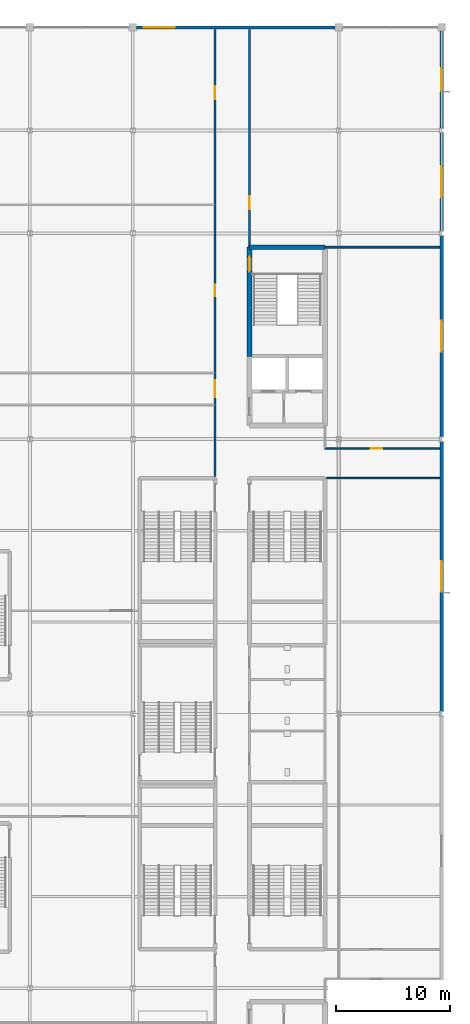
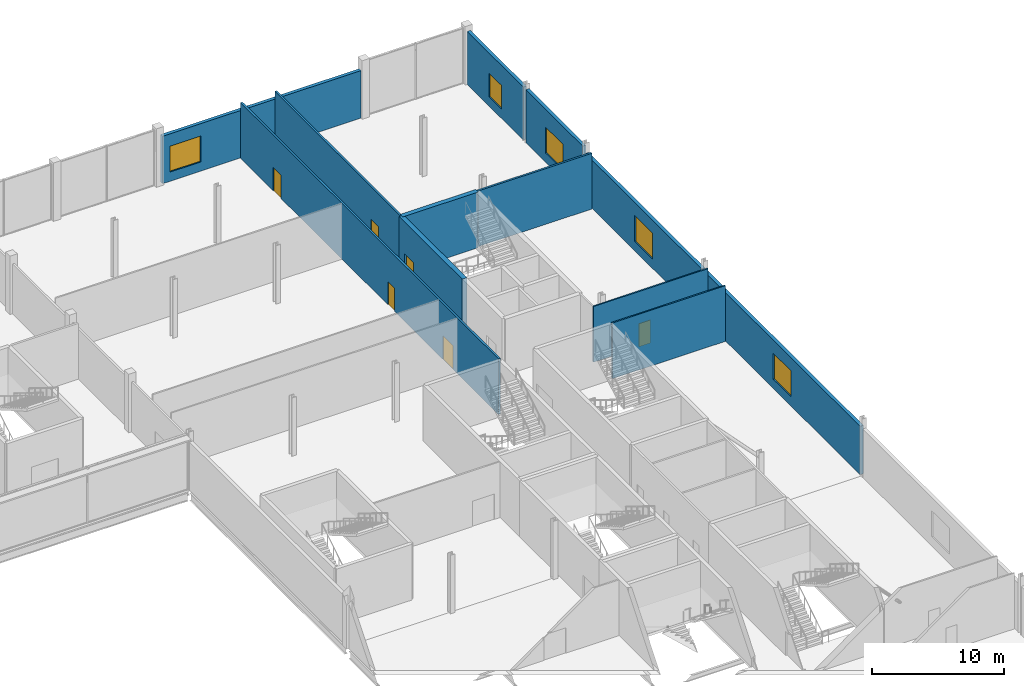
# One storey, part 68 of 111: 12 walls, 6 doors, 5 windows, 11 openings.
"""IFC4 building model written with IfcOpenShell, lengths in metres."""

import ifcopenshell
import ifcopenshell.guid

model = None  # the IFC model being written
_history = None  # IfcOwnerHistory: only IFC2X3 demands one
_inside = {}  # id of a spatial element -> (the spatial element, [elements in it])
_under = {}  # id of a project, library or spatial element -> (it, [spatial elements below it])
_declared = {}  # id of a project -> (the project, [libraries it declares])
_typed = {}  # id of a type object -> (the type object, [elements of that type])
_made_of = {}  # id of a material, layer set ... -> (it, [elements and type objects made of it])


def new_model(schema):
    """Start an empty IFC model of exactly this schema.

    Asked for "IFC4X3", IfcOpenShell would pick the latest addendum, in which some entities
    have other attributes; the version numbers below select the first issue.
    IFC2X3 requires an IfcOwnerHistory on every rooted entity: one is made here for all.
    """
    global model, _history
    if schema == "IFC4X3":
        model = ifcopenshell.file(schema_version=(4, 3, 0, 0))
    else:
        model = ifcopenshell.file(schema=schema)
    _inside.clear()
    _under.clear()
    _declared.clear()
    _typed.clear()
    _made_of.clear()
    _history = None
    if model.schema == "IFC2X3":
        org = make("IfcOrganization", Name="unknown")
        user = make(
            "IfcPersonAndOrganization",
            ThePerson=make("IfcPerson", FamilyName="unknown"),
            TheOrganization=org,
        )
        app = make(
            "IfcApplication",
            ApplicationDeveloper=org,
            Version="unknown",
            ApplicationFullName="unknown",
            ApplicationIdentifier="unknown",
        )
        _history = make(
            "IfcOwnerHistory",
            OwningUser=user,
            OwningApplication=app,
            ChangeAction="ADDED",
            CreationDate=0,
        )
    return model


def make(cls, **values):
    """One entity of the class cls with the attributes given. An attribute that is None is left unset."""
    return model.create_entity(
        cls, **{name: value for name, value in values.items() if value is not None}
    )


def rooted(cls, **values):
    """An entity with a GlobalId (a new one), such as an element, a storey or a relation."""
    return make(cls, GlobalId=ifcopenshell.guid.new(), OwnerHistory=_history, **values)


def si_unit(unit_type, name, prefix=None):
    """IfcSIUnit, for example si_unit("LENGTHUNIT", "METRE", prefix="MILLI")."""
    return make("IfcSIUnit", UnitType=unit_type, Prefix=prefix, Name=name)


def assignment(units):
    """IfcUnitAssignment: the units of a project."""
    return None if units is None else make("IfcUnitAssignment", Units=units)


def point(xyz):
    """IfcCartesianPoint."""
    return None if xyz is None else make("IfcCartesianPoint", Coordinates=xyz)


def direction(xyz):
    """IfcDirection."""
    return None if xyz is None else make("IfcDirection", DirectionRatios=xyz)


def frame(location, z_axis=None, x_axis=None):
    """IfcAxis2Placement3D, a coordinate frame: its origin and axes. An axis left out is left unset."""
    return make(
        "IfcAxis2Placement3D",
        Location=point(location),
        Axis=direction(z_axis),
        RefDirection=direction(x_axis),
    )


def frame_2d(location, x_axis=None):
    """IfcAxis2Placement2D, a coordinate frame in the plane: its origin and x axis."""
    return make(
        "IfcAxis2Placement2D", Location=point(location), RefDirection=direction(x_axis)
    )


def origin():
    """The frame at (0, 0, 0) with its axes left unset."""
    return frame((0.0, 0.0, 0.0))


def place(relative_to, where):
    """IfcLocalPlacement: puts the frame where relative to a parent placement (None: the world)."""
    return make(
        "IfcLocalPlacement", PlacementRelTo=relative_to, RelativePlacement=where
    )


def context(
    kind, dimensions, precision=None, world=None, true_north=None, identifier=None
):
    """IfcGeometricRepresentationContext, for example the 3D "Model" context."""
    return make(
        "IfcGeometricRepresentationContext",
        ContextIdentifier=identifier,
        ContextType=kind,
        CoordinateSpaceDimension=dimensions,
        Precision=precision,
        WorldCoordinateSystem=world,
        TrueNorth=true_north,
    )


def subcontext(parent, identifier, kind, view, scale=None):
    """IfcGeometricRepresentationSubContext, for example "Body" below "Model"."""
    return make(
        "IfcGeometricRepresentationSubContext",
        ContextIdentifier=identifier,
        ContextType=kind,
        ParentContext=parent,
        TargetScale=scale,
        TargetView=view,
    )


def project(units=None, contexts=None):
    """IfcProject with its units and contexts."""
    return rooted(
        "IfcProject",
        Name="project",
        RepresentationContexts=contexts,
        UnitsInContext=assignment(units),
    )


def spatial(cls, under=None, at=None, **own):
    """A site, building, storey or space (cls), placed at a placement, below another one or the project."""
    s = rooted(cls, ObjectPlacement=at, **own)
    if under is not None:
        _under.setdefault(under.id(), (under, []))[1].append(s)
    return s


def profile(cls, at=None, kind="AREA", **sizes):
    """A parametric profile (cls). Its sizes go by their IFC names, for example OverallWidth=200.0."""
    return make(cls, ProfileType=kind, Position=at, **sizes)


def rectangle(**sizes):
    """IfcRectangleProfileDef."""
    return profile("IfcRectangleProfileDef", **sizes)


def extrude(swept, where, along, depth):
    """IfcExtrudedAreaSolid: the profile swept, set in the frame where, extruded along a direction by depth."""
    return make(
        "IfcExtrudedAreaSolid",
        SweptArea=swept,
        Position=where,
        ExtrudedDirection=direction(along),
        Depth=depth,
    )


def shape(context_of_items, identifier, shape_type, items):
    """IfcShapeRepresentation: the items that make up one representation, for example the "Body"."""
    return make(
        "IfcShapeRepresentation",
        ContextOfItems=context_of_items,
        RepresentationIdentifier=identifier,
        RepresentationType=shape_type,
        Items=items,
    )


def material(Name=None, Category=None):
    """IfcMaterial."""
    return make("IfcMaterial", Name=Name, Category=Category)


def layer(
    of_material, thickness, ventilated=None, Name=None, Category=None, Priority=None
):
    """IfcMaterialLayer: one layer of a wall or slab, of a material (None: an air gap)."""
    return make(
        "IfcMaterialLayer",
        Material=of_material,
        LayerThickness=thickness,
        IsVentilated=ventilated,
        Name=Name,
        Category=Category,
        Priority=Priority,
    )


def layer_set(layers, Name=None):
    """IfcMaterialLayerSet."""
    return make("IfcMaterialLayerSet", MaterialLayers=layers, LayerSetName=Name)


def made_of(thing, what):
    """Note that an element or type object is made of a material, layer set ...; save() writes the relation."""
    if what is not None:
        _made_of.setdefault(what.id(), (what, []))[1].append(thing)
    return thing


def type_object(cls, material=None, **own):
    """A type object (cls), such as IfcWallType, which elements share."""
    return made_of(rooted(cls, **own), material)


def element(
    cls,
    number,
    at=None,
    inside=None,
    cuts=None,
    type_object=None,
    material=None,
    context=None,
    identifier="Body",
    shape_type=None,
    held_by="IfcProductDefinitionShape",
    body=None,
    shapes=None,
    **own,
):
    """One element of the class cls, such as IfcWall. Its Tag is "e" and its number.

    at: its placement. inside: the storey or other place that contains it. cuts: it is an
    opening in that element (IfcRelVoidsElement). A single representation is given by context,
    identifier, shape_type and body (its items); several are given by shapes. held_by: the class
    of the entity that holds the representations. save() writes the other relations.
    """
    e = rooted(cls, Tag="e%d" % number, ObjectPlacement=at, **own)
    if body is not None:
        shapes = [shape(context, identifier, shape_type, body)]
    if shapes is not None:
        e.Representation = make(held_by, Representations=shapes)
    if inside is not None:
        _inside.setdefault(inside.id(), (inside, []))[1].append(e)
    if cuts is not None:
        rooted(
            "IfcRelVoidsElement", RelatingBuildingElement=cuts, RelatedOpeningElement=e
        )
    if type_object is not None:
        _typed.setdefault(type_object.id(), (type_object, []))[1].append(e)
    return made_of(e, material)


def fill(opening, filler):
    """IfcRelFillsElement: the door or window that sits in an opening."""
    return rooted(
        "IfcRelFillsElement",
        RelatingOpeningElement=opening,
        RelatedBuildingElement=filler,
    )


def aggregate(whole, parts):
    """IfcRelAggregates: a whole, such as a stair, and the parts it consists of."""
    return rooted("IfcRelAggregates", RelatingObject=whole, RelatedObjects=parts)


def save(model, path):
    """Write the relations noted so far, then the file.

    IfcRelAggregates (storeys below a building ...), IfcRelContainedInSpatialStructure (elements
    in a storey), IfcRelDefinesByType, IfcRelAssociatesMaterial and IfcRelDeclares: one each for
    every whole, place, type object, material and project.
    """
    for whole, parts in _under.values():
        aggregate(whole, parts)
    for where, things in _inside.values():
        rooted(
            "IfcRelContainedInSpatialStructure",
            RelatedElements=things,
            RelatingStructure=where,
        )
    for kind, things in _typed.values():
        rooted("IfcRelDefinesByType", RelatedObjects=things, RelatingType=kind)
    for what, things in _made_of.values():
        rooted("IfcRelAssociatesMaterial", RelatedObjects=things, RelatingMaterial=what)
    for by, libraries in _declared.values():
        rooted("IfcRelDeclares", RelatingContext=by, RelatedDefinitions=libraries)
    model.write(path)


model = new_model("IFC4")

# Units and contexts
model_context = context("Model", 3, precision=1e-05, world=origin(), true_north=direction((0.0, 1.0)))
body_context = subcontext(model_context, "Body", "Model", "MODEL_VIEW")
ifc_project = project(units=[si_unit("LENGTHUNIT", "METRE"), si_unit("AREAUNIT", "SQUARE_METRE"), si_unit("VOLUMEUNIT", "CUBIC_METRE"), si_unit("PLANEANGLEUNIT", "RADIAN"), si_unit("MASSUNIT", "GRAM", prefix="KILO")], contexts=[model_context])

# Site, building, storey
site_placement = place(None, origin())
site = spatial("IfcSite", under=ifc_project, at=site_placement, CompositionType="ELEMENT")
building_placement = place(site_placement, origin())
building = spatial("IfcBuilding", under=site, at=building_placement, Name="Kisiwana Market Hall", CompositionType="ELEMENT")
storey_placement = place(building_placement, frame((0.0, 0.0, 11.39990234375)))
storey = spatial("IfcBuildingStorey", under=building, at=storey_placement, Name="L02", CompositionType="ELEMENT", Elevation=11.39990234375)

# Wall
ifc_material_1 = material(Name="Concrete C40/50", Category="concrete")
ifc_layer_1 = layer(ifc_material_1, 0.39990234375, Name="Reinforced concrete core wall")
ifc_layer_set_1 = layer_set([ifc_layer_1], Name="WL-CORE-400")
wall_type_1 = type_object("IfcWallType", Name="WL-CORE-400", PredefinedType="SHEAR", material=ifc_layer_set_1)
wall_1_placement = place(storey_placement, frame((181.199951171875, 100.800048828125, 0.0), z_axis=(0.0, 0.0, 1.0), x_axis=(1.0, 0.0, 0.0)))
element("IfcWall", 1, at=wall_1_placement, inside=storey, type_object=wall_type_1, Name="Core E1 north shear wall W-0946", PredefinedType="SHEAR", context=body_context, shape_type="SweptSolid", body=[
    extrude(rectangle(XDim=6.60009765625, YDim=0.39990234375, at=frame_2d((3.300048828125, 0.0))), origin(), (0.0, 0.0, 1.0), 5.150146484375),
])

# Wall, opening, door
wall_2_placement = place(storey_placement, frame((181.199951171875, 91.239990234375, 0.0), z_axis=(0.0, 0.0, 1.0), x_axis=(0.0, 1.0, 0.0)))
wall_2 = element("IfcWall", 2, at=wall_2_placement, inside=storey, type_object=wall_type_1, Name="Core E1 stair corridor shear wall W-0949", PredefinedType="SHEAR", context=body_context, shape_type="SweptSolid", body=[
    extrude(rectangle(XDim=9.56005859375, YDim=0.39990234375, at=frame_2d((4.780029296875, 0.0))), origin(), (0.0, 0.0, 1.0), 5.150146484375),
])
opening_1_placement = place(wall_2_placement, frame((7.409912109375, 0.0, 0.0)))
opening_1 = element("IfcOpeningElement", 3, at=opening_1_placement, cuts=wall_2, Name="Opening DR-L02-011", PredefinedType="OPENING", context=body_context, shape_type="SweptSolid", body=[
    extrude(rectangle(XDim=1.300048828125, YDim=2.199951171875, at=frame_2d((0.64990234375, 1.10009765625))), frame((0.0, 0.2119140625, 0.0), z_axis=(0.0, -1.0, 0.0), x_axis=(1.0, 0.0, 0.0)), (0.0, 0.0, 1.0), 0.423828125),
])
ifc_material_2 = material(Name="Steel S275", Category="steel")
door_type_1 = type_object("IfcDoorType", Name="DR-STAIR-FD120-1300", OperationType="NOTDEFINED", PredefinedType="DOOR", material=ifc_material_2)
door_1_placement = place(opening_1_placement, frame((1.300048828125, 0.0, 0.0), z_axis=(0.0, 0.0, 1.0), x_axis=(-1.0, 0.0, 0.0)))
door_1 = element("IfcDoor", 4, at=door_1_placement, inside=storey, type_object=door_type_1, Name="Escape Stair E1 Fire Door (L02)", OperationType="SINGLE_SWING_LEFT", OverallHeight=2.199951171875, OverallWidth=1.300048828125, PredefinedType="DOOR", context=body_context, shape_type="SweptSolid", body=[
    extrude(rectangle(XDim=1.300048828125, YDim=2.199951171875, at=frame_2d((0.64990234375, 1.10009765625))), frame((0.0, 0.02490234375, 0.0), z_axis=(0.0, -1.0, 0.0), x_axis=(1.0, 0.0, 0.0)), (0.0, 0.0, 1.0), 0.050048828125),
])
fill(opening_1, door_1)

# Wall
ifc_material_3 = material(Name="Masonry blockwork", Category="masonry")
ifc_layer_2 = layer(ifc_material_3, 0.169921875, Name="Protected corridor partition")
ifc_layer_set_2 = layer_set([ifc_layer_2], Name="WL-CORR-170")
wall_type_2 = type_object("IfcWallType", Name="WL-CORR-170", PredefinedType="PARTITIONING", material=ifc_layer_set_2)
wall_3_placement = place(storey_placement, frame((187.800048828125, 100.800048828125, 0.0), z_axis=(0.0, 0.0, 1.0), x_axis=(1.0, 0.0, 0.0)))
element("IfcWall", 5, at=wall_3_placement, inside=storey, type_object=wall_type_2, Name="Interior partition W-1141", PredefinedType="PARTITIONING", context=body_context, shape_type="SweptSolid", body=[
    extrude(rectangle(XDim=10.017333984375, YDim=0.169921875, at=frame_2d((5.0087890625, 0.0))), origin(), (0.0, 0.0, 1.0), 5.150146484375),
])

# Wall, opening, door
wall_4_placement = place(storey_placement, frame((181.199951171875, 100.800048828125, 0.0), z_axis=(0.0, 0.0, 1.0), x_axis=(0.0, 1.0, 0.0)))
wall_4 = element("IfcWall", 6, at=wall_4_placement, inside=storey, type_object=wall_type_2, Name="Interior partition W-1147", PredefinedType="PARTITIONING", context=body_context, shape_type="SweptSolid", body=[
    extrude(rectangle(XDim=19.017333984375, YDim=0.169921875, at=frame_2d((9.5087890625, 0.0))), origin(), (0.0, 0.0, 1.0), 5.150146484375),
])
opening_2_placement = place(wall_4_placement, frame((3.300048828125, 0.0, 0.0)))
opening_2 = element("IfcOpeningElement", 7, at=opening_2_placement, cuts=wall_4, Name="Opening DR-L02-072", PredefinedType="OPENING", context=body_context, shape_type="SweptSolid", body=[
    extrude(rectangle(XDim=1.14990234375, YDim=2.14990234375, at=frame_2d((0.574951171875, 1.074951171875))), frame((0.0, 0.096923828125, 0.0), z_axis=(0.0, -1.0, 0.0), x_axis=(1.0, 0.0, 0.0)), (0.0, 0.0, 1.0), 0.19384765625),
])
ifc_material_4 = material(Name="Aluminium alloy 6063-T6", Category="aluminium")
door_type_2 = type_object("IfcDoorType", Name="DR-MEET-1150", OperationType="NOTDEFINED", PredefinedType="DOOR", material=ifc_material_4)
door_2_placement = place(opening_2_placement, frame((1.14990234375, 0.0, 0.0), z_axis=(0.0, 0.0, 1.0), x_axis=(-1.0, 0.0, 0.0)))
door_2 = element("IfcDoor", 8, at=door_2_placement, inside=storey, type_object=door_type_2, Name="L02 E Corner Office Suite North Door", OperationType="SINGLE_SWING_RIGHT", OverallHeight=2.14990234375, OverallWidth=1.14990234375, PredefinedType="DOOR", context=body_context, shape_type="SweptSolid", body=[
    extrude(rectangle(XDim=1.14990234375, YDim=2.14990234375, at=frame_2d((0.574951171875, 1.074951171875))), frame((0.0, 0.02490234375, 0.0), z_axis=(0.0, -1.0, 0.0), x_axis=(1.0, 0.0, 0.0)), (0.0, 0.0, 1.0), 0.050048828125),
])
fill(opening_2, door_2)

# Wall, openings, doors
wall_5_placement = place(storey_placement, frame((178.199951171875, 80.760009765625, 0.0), z_axis=(0.0, 0.0, 1.0), x_axis=(0.0, 1.0, 0.0)))
wall_5 = element("IfcWall", 9, at=wall_5_placement, inside=storey, type_object=wall_type_2, Name="Interior partition W-1157", PredefinedType="PARTITIONING", context=body_context, shape_type="SweptSolid", body=[
    extrude(rectangle(XDim=39.057373046875, YDim=0.169921875, at=frame_2d((19.52880859375, 0.0))), origin(), (0.0, 0.0, 1.0), 5.150146484375),
])
opening_3_placement = place(wall_5_placement, frame((6.89111328125, 0.0, 0.0)))
opening_3 = element("IfcOpeningElement", 10, at=opening_3_placement, cuts=wall_5, Name="Opening DR-L02-082", PredefinedType="OPENING", context=body_context, shape_type="SweptSolid", body=[
    extrude(rectangle(XDim=1.5, YDim=2.199951171875, at=frame_2d((0.75, 1.10009765625))), frame((0.0, 0.096923828125, 0.0), z_axis=(0.0, -1.0, 0.0), x_axis=(1.0, 0.0, 0.0)), (0.0, 0.0, 1.0), 0.19384765625),
])
opening_4_placement = place(wall_5_placement, frame((15.7509765625, 0.0, 0.0)))
opening_4 = element("IfcOpeningElement", 11, at=opening_4_placement, cuts=wall_5, Name="Opening DR-L02-083", PredefinedType="OPENING", context=body_context, shape_type="SweptSolid", body=[
    extrude(rectangle(XDim=1.0, YDim=2.14990234375, at=frame_2d((0.5, 1.074951171875))), frame((0.0, 0.096923828125, 0.0), z_axis=(0.0, -1.0, 0.0), x_axis=(1.0, 0.0, 0.0)), (0.0, 0.0, 1.0), 0.19384765625),
])
opening_5_placement = place(wall_5_placement, frame((32.949951171875, 0.0, 0.0)))
opening_5 = element("IfcOpeningElement", 12, at=opening_5_placement, cuts=wall_5, Name="Opening DR-L02-084", PredefinedType="OPENING", context=body_context, shape_type="SweptSolid", body=[
    extrude(rectangle(XDim=1.14990234375, YDim=2.14990234375, at=frame_2d((0.574951171875, 1.074951171875))), frame((0.0, 0.096923828125, 0.0), z_axis=(0.0, -1.0, 0.0), x_axis=(1.0, 0.0, 0.0)), (0.0, 0.0, 1.0), 0.19384765625),
])
ifc_material_5 = material(Name="Steel S275", Category="steel")
door_type_3 = type_object("IfcDoorType", Name="DR-CORR-FD60-1500", OperationType="DOUBLE_DOOR_SINGLE_SWING", PredefinedType="DOOR", material=ifc_material_5)
door_3_placement = place(opening_3_placement, origin())
door_3 = element("IfcDoor", 13, at=door_3_placement, inside=storey, type_object=door_type_3, Name="L02 E North Guild Link Corridor Door", OperationType="DOUBLE_DOOR_SINGLE_SWING", OverallHeight=2.199951171875, OverallWidth=1.5, PredefinedType="DOOR", context=body_context, shape_type="SweptSolid", body=[
    extrude(rectangle(XDim=1.5, YDim=2.199951171875, at=frame_2d((0.75, 1.10009765625))), frame((0.0, 0.02490234375, 0.0), z_axis=(0.0, -1.0, 0.0), x_axis=(1.0, 0.0, 0.0)), (0.0, 0.0, 1.0), 0.050048828125),
])
fill(opening_3, door_3)
door_4_placement = place(opening_5_placement, origin())
door_4 = element("IfcDoor", 14, at=door_4_placement, inside=storey, type_object=door_type_2, Name="L02 E Artisan Guild Studio Door", OperationType="SINGLE_SWING_RIGHT", OverallHeight=2.14990234375, OverallWidth=1.14990234375, PredefinedType="DOOR", context=body_context, shape_type="SweptSolid", body=[
    extrude(rectangle(XDim=1.14990234375, YDim=2.14990234375, at=frame_2d((0.574951171875, 1.074951171875))), frame((0.0, 0.02490234375, 0.0), z_axis=(0.0, -1.0, 0.0), x_axis=(1.0, 0.0, 0.0)), (0.0, 0.0, 1.0), 0.050048828125),
])
fill(opening_5, door_4)
ifc_material_6 = material(Name="Aluminium alloy 6063-T6", Category="aluminium")
door_type_4 = type_object("IfcDoorType", Name="DR-OFF-1000", OperationType="NOTDEFINED", PredefinedType="DOOR", material=ifc_material_6)
door_5_placement = place(opening_4_placement, origin())
door_5 = element("IfcDoor", 15, at=door_5_placement, inside=storey, type_object=door_type_4, Name="L02 E Co-Working Studio North Door", OperationType="SINGLE_SWING_LEFT", OverallHeight=2.14990234375, OverallWidth=1.0, PredefinedType="DOOR", context=body_context, shape_type="SweptSolid", body=[
    extrude(rectangle(XDim=1.0, YDim=2.14990234375, at=frame_2d((0.5, 1.074951171875))), frame((0.0, 0.02490234375, 0.0), z_axis=(0.0, -1.0, 0.0), x_axis=(1.0, 0.0, 0.0)), (0.0, 0.0, 1.0), 0.050048828125),
])
fill(opening_4, door_5)

# Wall, opening, window
ifc_material_7 = material(Name="Masonry blockwork", Category="masonry")
ifc_layer_3 = layer(ifc_material_7, 0.139892578125, Name="Rendered masonry outer leaf")
ifc_material_8 = material(Name="Mineral wool insulation")
ifc_layer_4 = layer(ifc_material_8, 0.074951171875, Name="Mineral wool cavity insulation")
ifc_material_9 = material(Name="Gypsum plasterboard")
ifc_layer_5 = layer(ifc_material_9, 0.074951171875, Name="Calcium silicate inner lining")
ifc_layer_set_3 = layer_set([ifc_layer_3, ifc_layer_4, ifc_layer_5], Name="WL-EXT-MAS-290")
wall_type_3 = type_object("IfcWallType", Name="WL-EXT-MAS-290", PredefinedType="STANDARD", material=ifc_layer_set_3)
wall_6_placement = place(storey_placement, frame((171.31689453125, 120.0, 0.0), z_axis=(0.0, 0.0, 1.0), x_axis=(1.0, 0.0, 0.0)))
wall_6 = element("IfcWall", 16, at=wall_6_placement, inside=storey, type_object=wall_type_3, Name="Exterior wall W-1079", PredefinedType="STANDARD", context=body_context, shape_type="SweptSolid", body=[
    extrude(rectangle(XDim=17.3662109375, YDim=0.2900390625, at=frame_2d((8.68310546875, 0.0))), origin(), (0.0, 0.0, 1.0), 4.387939453125),
])
opening_6_placement = place(wall_6_placement, frame((0.64990234375, 0.0, 0.85009765625)))
opening_6 = element("IfcOpeningElement", 17, at=opening_6_placement, cuts=wall_6, Name="Opening WN-10", PredefinedType="OPENING", context=body_context, shape_type="SweptSolid", body=[
    extrude(rectangle(XDim=2.699951171875, YDim=2.39990234375, at=frame_2d((1.35009765625, 1.199951171875))), frame((0.0, 0.156982421875, 0.0), z_axis=(0.0, -1.0, 0.0), x_axis=(1.0, 0.0, 0.0)), (0.0, 0.0, 1.0), 0.31396484375),
])
ifc_material_10 = material(Name="Double-glazed solar-control low-E IGU", Category="glass")
window_type_1 = type_object("IfcWindowType", Name="WN-GLD-2700x2400", PartitioningType="SINGLE_PANEL", PredefinedType="WINDOW", material=ifc_material_10)
window_1_placement = place(opening_6_placement, origin())
window_1 = element("IfcWindow", 18, at=window_1_placement, inside=storey, type_object=window_type_1, Name="Exterior window WN-036", OverallHeight=2.39990234375, OverallWidth=2.699951171875, PartitioningType="SINGLE_PANEL", PredefinedType="WINDOW", context=body_context, shape_type="SweptSolid", body=[
    extrude(rectangle(XDim=2.699951171875, YDim=2.39990234375, at=frame_2d((1.35009765625, 1.199951171875))), frame((0.0, 0.030029296875, 0.0), z_axis=(0.0, -1.0, 0.0), x_axis=(1.0, 0.0, 0.0)), (0.0, 0.0, 1.0), 0.06005859375),
])
fill(opening_6, window_1)

wall_7_placement = place(storey_placement, frame((198.0, 60.194091796875, 0.0), z_axis=(0.0, 0.0, 1.0), x_axis=(0.0, 1.0, 0.0)))
wall_7 = element("IfcWall", 19, at=wall_7_placement, inside=storey, type_object=wall_type_3, Name="Exterior wall W-1096", PredefinedType="STANDARD", context=body_context, shape_type="SweptSolid", body=[
    extrude(rectangle(XDim=23.61181640625, YDim=0.2900390625, at=frame_2d((11.805908203125, 0.0))), origin(), (0.0, 0.0, 1.0), 4.466552734375),
])
opening_7_placement = place(wall_7_placement, frame((10.4560546875, 0.0, 0.85009765625)))
opening_7 = element("IfcOpeningElement", 20, at=opening_7_placement, cuts=wall_7, Name="Opening WN-10", PredefinedType="OPENING", context=body_context, shape_type="SweptSolid", body=[
    extrude(rectangle(XDim=2.699951171875, YDim=2.39990234375, at=frame_2d((1.35009765625, 1.199951171875))), frame((0.0, 0.156982421875, 0.0), z_axis=(0.0, -1.0, 0.0), x_axis=(1.0, 0.0, 0.0)), (0.0, 0.0, 1.0), 0.31396484375),
])
window_2_placement = place(opening_7_placement, origin())
window_2 = element("IfcWindow", 21, at=window_2_placement, inside=storey, type_object=window_type_1, Name="Exterior window WN-046", OverallHeight=2.39990234375, OverallWidth=2.699951171875, PartitioningType="SINGLE_PANEL", PredefinedType="WINDOW", context=body_context, shape_type="SweptSolid", body=[
    extrude(rectangle(XDim=2.699951171875, YDim=2.39990234375, at=frame_2d((1.35009765625, 1.199951171875))), frame((0.0, 0.030029296875, 0.0), z_axis=(0.0, -1.0, 0.0), x_axis=(1.0, 0.0, 0.0)), (0.0, 0.0, 1.0), 0.06005859375),
])
fill(opening_7, window_2)

wall_8_placement = place(storey_placement, frame((198.0, 84.194091796875, 0.0), z_axis=(0.0, 0.0, 1.0), x_axis=(0.0, 1.0, 0.0)))
wall_8 = element("IfcWall", 22, at=wall_8_placement, inside=storey, type_object=wall_type_3, Name="Exterior wall W-1097", PredefinedType="STANDARD", context=body_context, shape_type="SweptSolid", body=[
    extrude(rectangle(XDim=17.61181640625, YDim=0.2900390625, at=frame_2d((8.805908203125, 0.0))), origin(), (0.0, 0.0, 1.0), 4.466552734375),
])
opening_8_placement = place(wall_8_placement, frame((7.4560546875, 0.0, 0.85009765625)))
opening_8 = element("IfcOpeningElement", 23, at=opening_8_placement, cuts=wall_8, Name="Opening WN-10", PredefinedType="OPENING", context=body_context, shape_type="SweptSolid", body=[
    extrude(rectangle(XDim=2.699951171875, YDim=2.39990234375, at=frame_2d((1.35009765625, 1.199951171875))), frame((0.0, 0.156982421875, 0.0), z_axis=(0.0, -1.0, 0.0), x_axis=(1.0, 0.0, 0.0)), (0.0, 0.0, 1.0), 0.31396484375),
])
window_3_placement = place(opening_8_placement, origin())
window_3 = element("IfcWindow", 24, at=window_3_placement, inside=storey, type_object=window_type_1, Name="Exterior window WN-047", OverallHeight=2.39990234375, OverallWidth=2.699951171875, PartitioningType="SINGLE_PANEL", PredefinedType="WINDOW", context=body_context, shape_type="SweptSolid", body=[
    extrude(rectangle(XDim=2.699951171875, YDim=2.39990234375, at=frame_2d((1.35009765625, 1.199951171875))), frame((0.0, 0.030029296875, 0.0), z_axis=(0.0, -1.0, 0.0), x_axis=(1.0, 0.0, 0.0)), (0.0, 0.0, 1.0), 0.06005859375),
])
fill(opening_8, window_3)

wall_9_placement = place(storey_placement, frame((198.0, 102.194091796875, 0.0), z_axis=(0.0, 0.0, 1.0), x_axis=(0.0, 1.0, 0.0)))
wall_9 = element("IfcWall", 25, at=wall_9_placement, inside=storey, type_object=wall_type_3, Name="Exterior wall W-1098", PredefinedType="STANDARD", context=body_context, shape_type="SweptSolid", body=[
    extrude(rectangle(XDim=8.6171875, YDim=0.2900390625, at=frame_2d((4.30859375, 0.0))), origin(), (0.0, 0.0, 1.0), 4.900146484375),
])
opening_9_placement = place(wall_9_placement, frame((2.958740234375, 0.0, 0.85009765625)))
opening_9 = element("IfcOpeningElement", 26, at=opening_9_placement, cuts=wall_9, Name="Opening WN-10", PredefinedType="OPENING", context=body_context, shape_type="SweptSolid", body=[
    extrude(rectangle(XDim=2.699951171875, YDim=2.39990234375, at=frame_2d((1.35009765625, 1.199951171875))), frame((0.0, 0.156982421875, 0.0), z_axis=(0.0, -1.0, 0.0), x_axis=(1.0, 0.0, 0.0)), (0.0, 0.0, 1.0), 0.31396484375),
])
window_4_placement = place(opening_9_placement, origin())
window_4 = element("IfcWindow", 27, at=window_4_placement, inside=storey, type_object=window_type_1, Name="Exterior window WN-048", OverallHeight=2.39990234375, OverallWidth=2.699951171875, PartitioningType="SINGLE_PANEL", PredefinedType="WINDOW", context=body_context, shape_type="SweptSolid", body=[
    extrude(rectangle(XDim=2.699951171875, YDim=2.39990234375, at=frame_2d((1.35009765625, 1.199951171875))), frame((0.0, 0.030029296875, 0.0), z_axis=(0.0, -1.0, 0.0), x_axis=(1.0, 0.0, 0.0)), (0.0, 0.0, 1.0), 0.06005859375),
])
fill(opening_9, window_4)

wall_10_placement = place(storey_placement, frame((198.0, 111.188720703125, 0.0), z_axis=(0.0, 0.0, 1.0), x_axis=(0.0, 1.0, 0.0)))
wall_10 = element("IfcWall", 28, at=wall_10_placement, inside=storey, type_object=wall_type_3, Name="Exterior wall W-1099", PredefinedType="STANDARD", context=body_context, shape_type="SweptSolid", body=[
    extrude(rectangle(XDim=8.494384765625, YDim=0.2900390625, at=frame_2d((4.2470703125, 0.0))), origin(), (0.0, 0.0, 1.0), 4.900146484375),
])
opening_10_placement = place(wall_10_placement, frame((3.272216796875, 0.0, 0.85009765625)))
opening_10 = element("IfcOpeningElement", 29, at=opening_10_placement, cuts=wall_10, Name="Opening W-40", PredefinedType="OPENING", context=body_context, shape_type="SweptSolid", body=[
    extrude(rectangle(XDim=1.949951171875, YDim=2.199951171875, at=frame_2d((0.97509765625, 1.10009765625))), frame((0.0, 0.156982421875, 0.0), z_axis=(0.0, -1.0, 0.0), x_axis=(1.0, 0.0, 0.0)), (0.0, 0.0, 1.0), 0.31396484375),
])
ifc_material_11 = material(Name="Double-glazed solar-control low-E IGU", Category="glass")
window_type_2 = type_object("IfcWindowType", Name="WN-POD-1950x2200", PartitioningType="SINGLE_PANEL", PredefinedType="WINDOW", material=ifc_material_11)
window_5_placement = place(opening_10_placement, origin())
window_5 = element("IfcWindow", 30, at=window_5_placement, inside=storey, type_object=window_type_2, Name="Exterior window WN-028", OverallHeight=2.199951171875, OverallWidth=1.949951171875, PartitioningType="SINGLE_PANEL", PredefinedType="WINDOW", context=body_context, shape_type="SweptSolid", body=[
    extrude(rectangle(XDim=1.949951171875, YDim=2.199951171875, at=frame_2d((0.97509765625, 1.10009765625))), frame((0.0, 0.030029296875, 0.0), z_axis=(0.0, -1.0, 0.0), x_axis=(1.0, 0.0, 0.0)), (0.0, 0.0, 1.0), 0.06005859375),
])
fill(opening_10, window_5)

# Wall
ifc_material_12 = material(Name="Gypsum plasterboard")
ifc_layer_6 = layer(ifc_material_12, 0.125, Name="Double gypsum board + acoustic stud")
ifc_layer_set_4 = layer_set([ifc_layer_6], Name="WL-OFF-125")
wall_type_4 = type_object("IfcWallType", Name="WL-OFF-125", PredefinedType="PARTITIONING", material=ifc_layer_set_4)
wall_11_placement = place(storey_placement, frame((187.9599609375, 80.60009765625, 0.0), z_axis=(0.0, 0.0, 1.0), x_axis=(1.0, 0.0, 0.0)))
element("IfcWall", 31, at=wall_11_placement, inside=storey, type_object=wall_type_4, Name="Interior partition W-1144", PredefinedType="PARTITIONING", context=body_context, shape_type="SweptSolid", body=[
    extrude(rectangle(XDim=9.857421875, YDim=0.125, at=frame_2d((4.9287109375, 0.0))), origin(), (0.0, 0.0, 1.0), 5.150146484375),
])

# Wall, opening, door
wall_12_placement = place(storey_placement, frame((187.800048828125, 83.199951171875, 0.0), z_axis=(0.0, 0.0, 1.0), x_axis=(1.0, 0.0, 0.0)))
wall_12 = element("IfcWall", 32, at=wall_12_placement, inside=storey, type_object=wall_type_4, Name="Interior partition W-1145", PredefinedType="PARTITIONING", context=body_context, shape_type="SweptSolid", body=[
    extrude(rectangle(XDim=10.017333984375, YDim=0.125, at=frame_2d((5.0087890625, 0.0))), origin(), (0.0, 0.0, 1.0), 5.150146484375),
])
opening_11_placement = place(wall_12_placement, frame((4.0, 0.0, 0.0)))
opening_11 = element("IfcOpeningElement", 33, at=opening_11_placement, cuts=wall_12, Name="Opening DR-L02-070", PredefinedType="OPENING", context=body_context, shape_type="SweptSolid", body=[
    extrude(rectangle(XDim=1.0, YDim=2.14990234375, at=frame_2d((0.5, 1.074951171875))), frame((0.0, 0.074462890625, 0.0), z_axis=(0.0, -1.0, 0.0), x_axis=(1.0, 0.0, 0.0)), (0.0, 0.0, 1.0), 0.14892578125),
])
door_6_placement = place(opening_11_placement, origin())
door_6 = element("IfcDoor", 34, at=door_6_placement, inside=storey, type_object=door_type_4, Name="L02 E Trade Guild Studio North Door", OperationType="SINGLE_SWING_LEFT", OverallHeight=2.14990234375, OverallWidth=1.0, PredefinedType="DOOR", context=body_context, shape_type="SweptSolid", body=[
    extrude(rectangle(XDim=1.0, YDim=2.14990234375, at=frame_2d((0.5, 1.074951171875))), frame((0.0, 0.02490234375, 0.0), z_axis=(0.0, -1.0, 0.0), x_axis=(1.0, 0.0, 0.0)), (0.0, 0.0, 1.0), 0.050048828125),
])
fill(opening_11, door_6)

save(model, "model.ifc")
